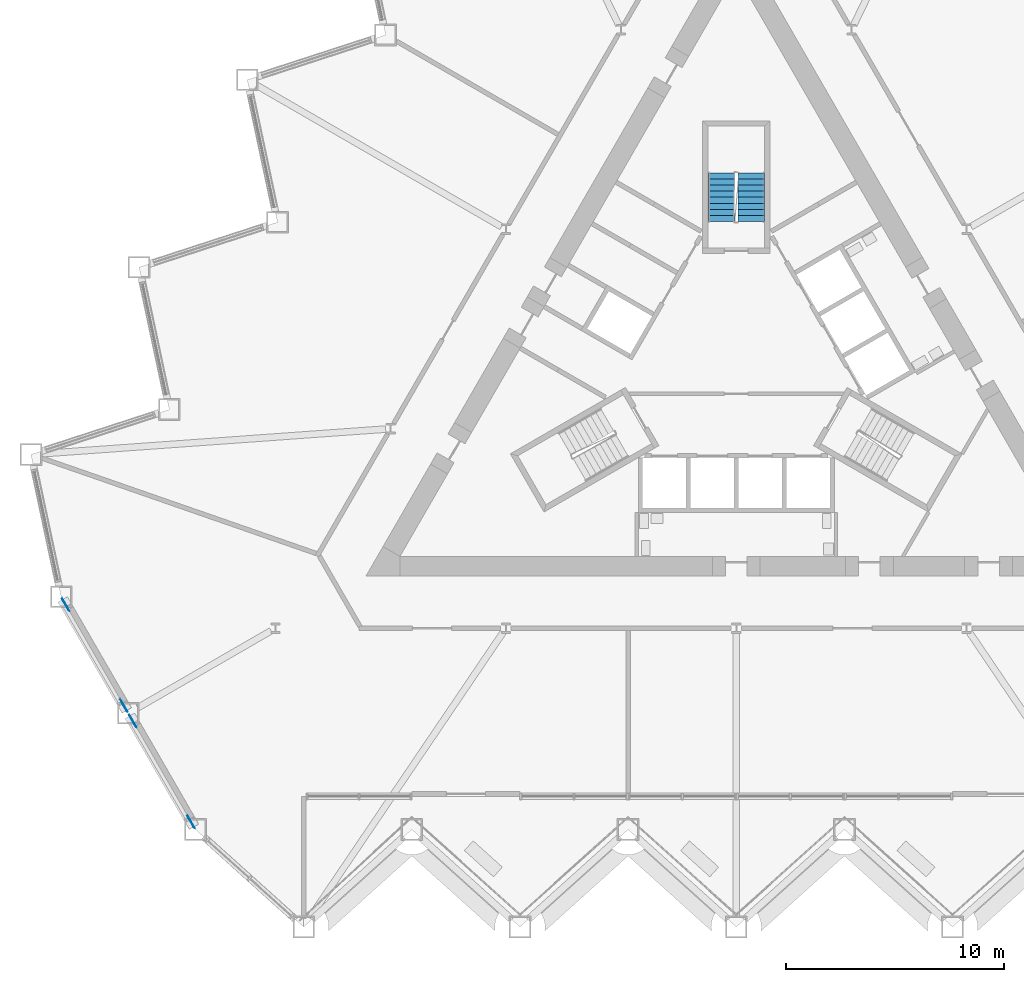
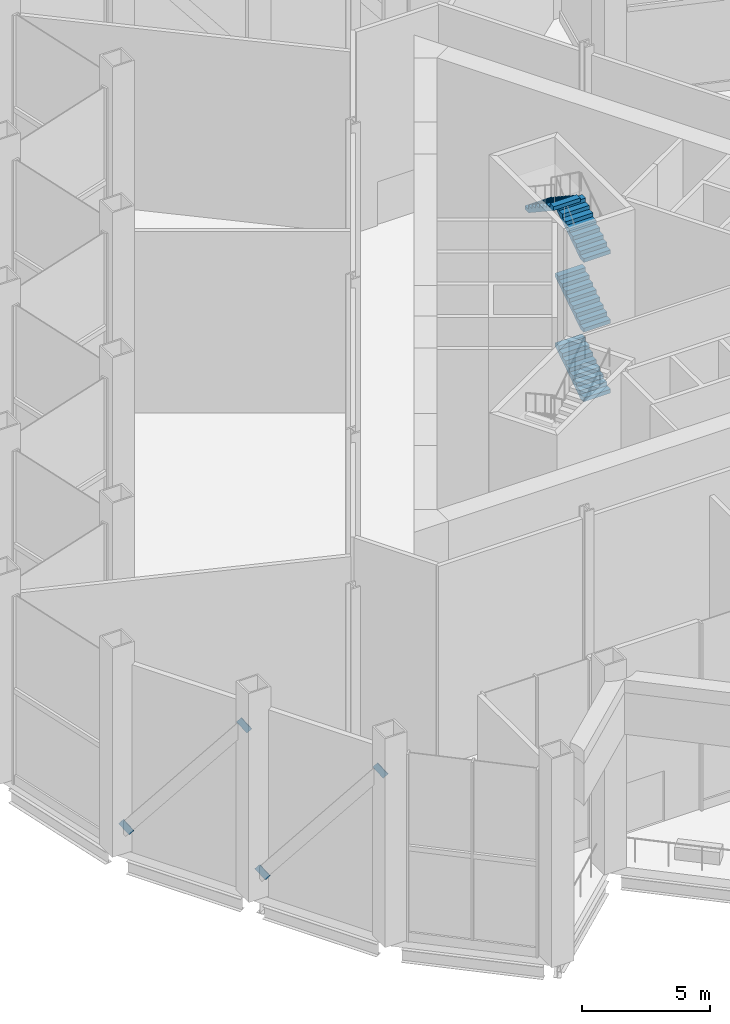
# One storey, part 11 of 17: 4 discrete accessories, 4 stair flights, 1 element without a shape of its own.
"""IFC4 building model written with IfcOpenShell, lengths in metres."""

from ifc_helpers import new_model, si_unit, direction, frame, origin, origin_2d, place, context, subcontext, project, spatial, polyline, rectangle, outline, extrude, material, material_profile, profile_set, type_object, element, aggregate, save


model = new_model("IFC4")

# Units and contexts
model_context = context("Model", 3, precision=1e-05, world=origin(), true_north=direction((0.0, 1.0)))
body_context = subcontext(model_context, "Body", "Model", "MODEL_VIEW")
ifc_project = project(units=[si_unit("LENGTHUNIT", "METRE"), si_unit("AREAUNIT", "SQUARE_METRE"), si_unit("VOLUMEUNIT", "CUBIC_METRE"), si_unit("PLANEANGLEUNIT", "RADIAN"), si_unit("MASSUNIT", "GRAM", prefix="KILO")], contexts=[model_context])

# Site, building, storey
site_placement = place(None, origin())
site = spatial("IfcSite", under=ifc_project, at=site_placement, CompositionType="ELEMENT")
building_placement = place(site_placement, origin())
building = spatial("IfcBuilding", under=site, at=building_placement, Name="Cormorant Prow Tower", CompositionType="ELEMENT")
storey_placement = place(building_placement, frame((0.0, 0.0, 84.60009765625)))
storey = spatial("IfcBuildingStorey", under=building, at=storey_placement, Name="L18", CompositionType="ELEMENT", Elevation=84.60009765625)

# Stair, stair flights
ifc_material_1 = material(Name="Exit stair 54 risers")
stair_type = type_object("IfcStairType", Name="Exit stair 54 risers", PredefinedType="HALF_TURN_STAIR", material=ifc_material_1)
stair_placement = place(storey_placement, origin())
stair = element("IfcStair", 1, at=stair_placement, inside=storey, type_object=stair_type, Name="L18 Exit stair ST3", PredefinedType="HALF_TURN_STAIR")
ifc_material_2 = material(Name="Concrete 5000 psi", Category="concrete")
stair_flight_type = type_object("IfcStairFlightType", Name="Stair flight 1219", PredefinedType="STRAIGHT", material=ifc_material_2)
stair_flight_1_placement = place(storey_placement, frame((0.6845703125, 6.455810546875, 0.0), z_axis=(0.0, 0.0, 1.0), x_axis=(0.0, 1.0, 0.0)))
stair_flight_1 = element("IfcStairFlight", 2, at=stair_flight_1_placement, type_object=stair_flight_type, Name="ST3 flight 1", NumberOfRisers=9, NumberOfTreads=8, PredefinedType="STRAIGHT", RiserHeight=0.185185185, TreadLength=0.28, context=body_context, shape_type="SweptSolid", body=[
    extrude(outline(polyline([(0.0, 0.0), (0.0, 0.185302734375), (0.280029296875, 0.185302734375), (0.280029296875, 0.370361328125), (0.56005859375, 0.370361328125), (0.56005859375, 0.5556640625), (0.840087890625, 0.5556640625), (0.840087890625, 0.74072265625), (1.1201171875, 0.74072265625), (1.1201171875, 0.926025390625), (1.39990234375, 0.926025390625), (1.39990234375, 1.111083984375), (1.679931640625, 1.111083984375), (1.679931640625, 1.29638671875), (1.9599609375, 1.29638671875), (1.9599609375, 1.4814453125), (2.239990234375, 1.4814453125), (2.239990234375, 1.666748046875), (2.239990234375, 1.3017578125), (0.271728515625, 0.0), (0.0, 0.0)])), frame((0.0, 0.609375, 0.0), z_axis=(0.0, -1.0, 0.0), x_axis=(1.0, 0.0, 0.0)), (0.0, 0.0, 1.0), 1.218994140625),
])
stair_flight_2_placement = place(storey_placement, frame((0.6845703125, 6.455810546875, 3.333251953125), z_axis=(0.0, 0.0, 1.0), x_axis=(0.0, 1.0, 0.0)))
stair_flight_2 = element("IfcStairFlight", 3, at=stair_flight_2_placement, type_object=stair_flight_type, Name="ST3 flight 3", NumberOfRisers=9, NumberOfTreads=8, PredefinedType="STRAIGHT", RiserHeight=0.185185185, TreadLength=0.28, context=body_context, shape_type="SweptSolid", body=[
    extrude(outline(polyline([(0.0, 0.0), (0.0, 0.185302734375), (0.280029296875, 0.185302734375), (0.280029296875, 0.370361328125), (0.56005859375, 0.370361328125), (0.56005859375, 0.5556640625), (0.840087890625, 0.5556640625), (0.840087890625, 0.74072265625), (1.1201171875, 0.74072265625), (1.1201171875, 0.926025390625), (1.39990234375, 0.926025390625), (1.39990234375, 1.111083984375), (1.679931640625, 1.111083984375), (1.679931640625, 1.29638671875), (1.9599609375, 1.29638671875), (1.9599609375, 1.4814453125), (2.239990234375, 1.4814453125), (2.239990234375, 1.666748046875), (2.239990234375, 1.3017578125), (0.271728515625, 0.0), (0.0, 0.0)])), frame((0.0, 0.609375, 0.0), z_axis=(0.0, -1.0, 0.0), x_axis=(1.0, 0.0, 0.0)), (0.0, 0.0, 1.0), 1.218994140625),
])
stair_flight_3_placement = place(storey_placement, frame((0.6845703125, 6.455810546875, 6.66650390625), z_axis=(0.0, 0.0, 1.0), x_axis=(0.0, 1.0, 0.0)))
stair_flight_3 = element("IfcStairFlight", 4, at=stair_flight_3_placement, type_object=stair_flight_type, Name="ST3 flight 5", NumberOfRisers=9, NumberOfTreads=8, PredefinedType="STRAIGHT", RiserHeight=0.185185185, TreadLength=0.28, context=body_context, shape_type="SweptSolid", body=[
    extrude(outline(polyline([(0.0, 0.0), (0.0, 0.185302734375), (0.280029296875, 0.185302734375), (0.280029296875, 0.370361328125), (0.56005859375, 0.370361328125), (0.56005859375, 0.5556640625), (0.840087890625, 0.5556640625), (0.840087890625, 0.74072265625), (1.1201171875, 0.74072265625), (1.1201171875, 0.926025390625), (1.39990234375, 0.926025390625), (1.39990234375, 1.111083984375), (1.679931640625, 1.111083984375), (1.679931640625, 1.29638671875), (1.9599609375, 1.29638671875), (1.9599609375, 1.4814453125), (2.239990234375, 1.4814453125), (2.239990234375, 1.666748046875), (2.239990234375, 1.3017578125), (0.271728515625, 0.0), (0.0, 0.0)])), frame((0.0, 0.609375, 0.0), z_axis=(0.0, -1.0, 0.0), x_axis=(1.0, 0.0, 0.0)), (0.0, 0.0, 1.0), 1.218994140625),
])
stair_flight_4_placement = place(storey_placement, frame((-0.6845703125, 8.69580078125, 8.333251953125), z_axis=(0.0, 0.0, 1.0), x_axis=(0.0, -1.0, 0.0)))
stair_flight_4 = element("IfcStairFlight", 5, at=stair_flight_4_placement, type_object=stair_flight_type, Name="ST3 flight 6", NumberOfRisers=9, NumberOfTreads=8, PredefinedType="STRAIGHT", RiserHeight=0.185185185, TreadLength=0.28, context=body_context, shape_type="SweptSolid", body=[
    extrude(outline(polyline([(0.0, 0.0), (0.0, 0.185302734375), (0.280029296875, 0.185302734375), (0.280029296875, 0.370361328125), (0.56005859375, 0.370361328125), (0.56005859375, 0.5556640625), (0.840087890625, 0.5556640625), (0.840087890625, 0.74072265625), (1.1201171875, 0.74072265625), (1.1201171875, 0.926025390625), (1.39990234375, 0.926025390625), (1.39990234375, 1.111083984375), (1.679931640625, 1.111083984375), (1.679931640625, 1.29638671875), (1.9599609375, 1.29638671875), (1.9599609375, 1.4814453125), (2.239990234375, 1.4814453125), (2.239990234375, 1.666748046875), (2.239990234375, 1.3017578125), (0.271728515625, 0.0), (0.0, 0.0)])), frame((0.0, 0.609375, 0.0), z_axis=(0.0, -1.0, 0.0), x_axis=(1.0, 0.0, 0.0)), (0.0, 0.0, 1.0), 1.218994140625),
])
aggregate(stair, [stair_flight_1, stair_flight_2, stair_flight_3, stair_flight_4])

# Discrete accessories
ifc_material_3 = material(Name="Structural steel ASTM A500 Gr C", Category="steel")
ifc_material_profile = material_profile(ifc_material_3, rectangle(XDim=0.031982421875, YDim=0.60791015625, at=origin_2d()), Name="Gusset plate 32x608")
ifc_profile_set = profile_set([ifc_material_profile], Name="Structural steel ASTM A500 Gr C")
discrete_accessory_type = type_object("IfcDiscreteAccessoryType", Name="Gusset plate 32x608", PredefinedType="BRACKET", material=ifc_profile_set)
discrete_accessory_1_placement = place(storey_placement, frame((-30.737548828125, -11.22802734375, 1.26220703125), z_axis=(-0.311276404592, 0.537405451875, -0.783774444747), x_axis=(-0.865323680064, -0.501213456245, 0.0)))
element("IfcDiscreteAccessory", 6, at=discrete_accessory_1_placement, inside=storey, type_object=discrete_accessory_type, Name="Gusset plate GP1 L18.WSW00.g0", PredefinedType="BRACKET", context=body_context, shape_type="SweptSolid", body=[
    extrude(rectangle(XDim=0.031982421875, YDim=0.60791015625, at=origin_2d()), origin(), (0.0, 0.0, 1.0), 0.349853515625),
])
discrete_accessory_2_placement = place(storey_placement, frame((-28.177490234375, -15.662353515625, 7.726318359375), z_axis=(0.310359571686, -0.537724111843, 0.783919457473), x_axis=(0.866092063448, 0.499884524299, 0.0)))
element("IfcDiscreteAccessory", 7, at=discrete_accessory_2_placement, inside=storey, type_object=discrete_accessory_type, Name="Gusset plate GP1 L18.WSW00.g1", PredefinedType="BRACKET", context=body_context, shape_type="SweptSolid", body=[
    extrude(rectangle(XDim=0.031982421875, YDim=0.60791015625, at=origin_2d()), origin(), (0.0, 0.0, 1.0), 0.35009765625),
])
discrete_accessory_3_placement = place(storey_placement, frame((-27.65283203125, -16.5712890625, 1.26220703125), z_axis=(-0.310529319689, 0.538018214562, -0.783650395529), x_axis=(-0.866092063448, -0.499884524299, 0.0)))
element("IfcDiscreteAccessory", 8, at=discrete_accessory_3_placement, inside=storey, type_object=discrete_accessory_type, Name="Gusset plate GP1 L18.WSW01.g0", PredefinedType="BRACKET", context=body_context, shape_type="SweptSolid", body=[
    extrude(rectangle(XDim=0.031982421875, YDim=0.60791015625, at=origin_2d()), origin(), (0.0, 0.0, 1.0), 0.349853515625),
])
discrete_accessory_4_placement = place(storey_placement, frame((-25.0927734375, -21.005615234375, 7.726318359375), z_axis=(0.310359571686, -0.537724111843, 0.783919457473), x_axis=(0.866092063448, 0.499884524299, 0.0)))
element("IfcDiscreteAccessory", 9, at=discrete_accessory_4_placement, inside=storey, type_object=discrete_accessory_type, Name="Gusset plate GP1 L18.WSW01.g1", PredefinedType="BRACKET", context=body_context, shape_type="SweptSolid", body=[
    extrude(rectangle(XDim=0.031982421875, YDim=0.60791015625, at=origin_2d()), origin(), (0.0, 0.0, 1.0), 0.35009765625),
])

save(model, "model.ifc")
